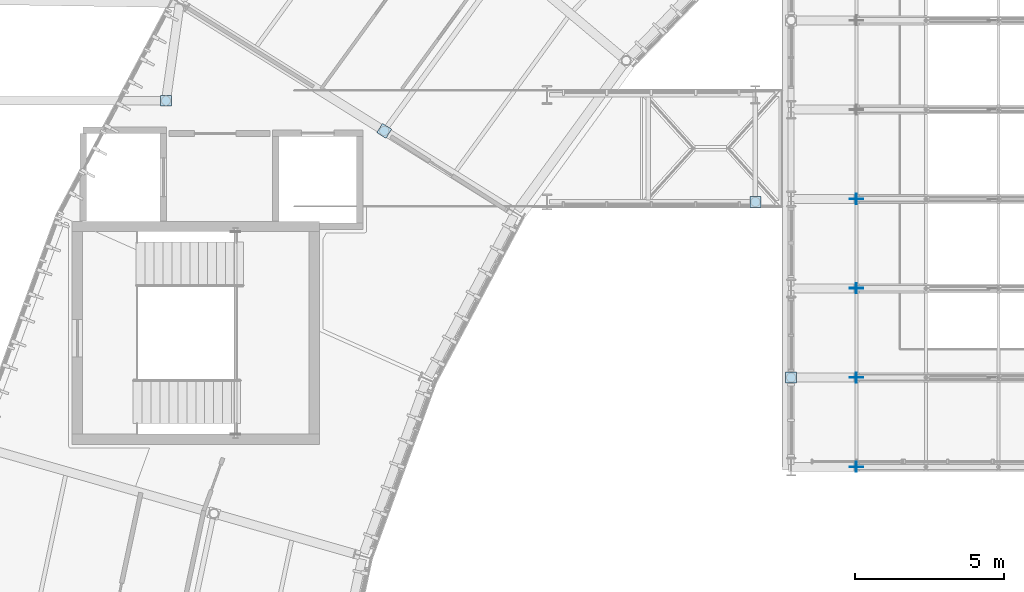
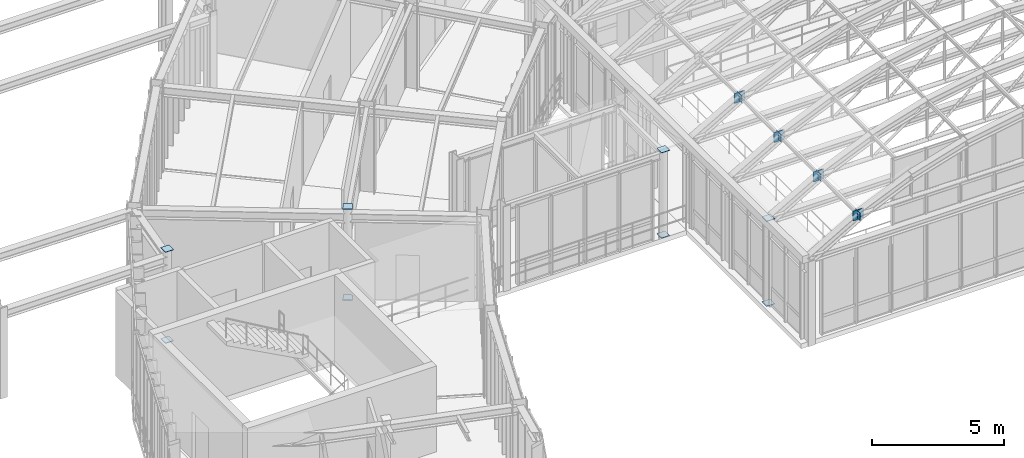
# One storey, part 110 of 148: 16 plates.
"""IFC4 building model written with IfcOpenShell, lengths in metres."""

from ifc_helpers import new_model, si_unit, direction, frame, origin, origin_2d, place, context, subcontext, project, spatial, rectangle, extrude, material, layer, layer_set, type_object, element, save


model = new_model("IFC4")

# Units and contexts
model_context = context("Model", 3, precision=1e-05, world=origin(), true_north=direction((0.0, 1.0)))
body_context = subcontext(model_context, "Body", "Model", "MODEL_VIEW")
ifc_project = project(units=[si_unit("LENGTHUNIT", "METRE"), si_unit("AREAUNIT", "SQUARE_METRE"), si_unit("VOLUMEUNIT", "CUBIC_METRE"), si_unit("PLANEANGLEUNIT", "RADIAN"), si_unit("MASSUNIT", "GRAM", prefix="KILO"), si_unit("THERMODYNAMICTEMPERATUREUNIT", "KELVIN"), si_unit("POWERUNIT", "WATT")], contexts=[model_context])

# Site, building, storey
site_placement = place(None, origin())
site = spatial("IfcSite", under=ifc_project, at=site_placement, CompositionType="ELEMENT")
building_placement = place(site_placement, origin())
building = spatial("IfcBuilding", under=site, at=building_placement, Name="Solvatero Civic Police Headquarters", CompositionType="ELEMENT")
storey_placement = place(building_placement, frame((0.0, 0.0, 5.10009765625)))
storey = spatial("IfcBuildingStorey", under=building, at=storey_placement, Name="L01", CompositionType="ELEMENT", Elevation=5.10009765625)

# Plates
ifc_material = material(Name="Steel S355", Category="steel")
ifc_layer_1 = layer(ifc_material, 0.02001953125)
ifc_layer_set_1 = layer_set([ifc_layer_1], Name="Steel S355")
plate_type_1 = type_object("IfcPlateType", Name="PLT-CAP-20", PredefinedType="SHEET", material=ifc_layer_set_1)
for number, where, z_axis, x_axis, name in (
    (1, (51.131103515625, 52.787353515625, 4.199951171875), (0.0, 0.0, 1.0), (0.529919264233, 0.848048096156, 0.0), "Hollow Section End Cap Plate 0025"),
    (2, (51.131103515625, 52.787353515625, -0.02001953125), (0.0, 0.0, 1.0), (0.529919264233, 0.848048096156, 0.0), "Hollow Section End Cap Plate 0026"),
    (3, (43.800048828125, 53.800048828125, 4.199951171875), (0.0, 0.0, 1.0), (1.0, 0.0, 0.0), "Hollow Section End Cap Plate 0045"),
    (4, (43.800048828125, 53.800048828125, -0.02001953125), (0.0, 0.0, 1.0), (1.0, 0.0, 0.0), "Hollow Section End Cap Plate 0046"),
    (5, (64.800048828125, 44.5, 3.919921875), (0.0, 0.0, 1.0), (1.0, 0.0, 0.0), "Hollow Section End Cap Plate 0067"),
    (6, (64.800048828125, 44.5, -0.02001953125), (0.0, 0.0, 1.0), (1.0, 0.0, 0.0), "Hollow Section End Cap Plate 0068"),
    (7, (63.60009765625, 50.39990234375, 3.93994140625), (0.0, 0.0, 1.0), (1.0, 0.0, 0.0), "Hollow Section End Cap Plate 0071"),
    (8, (63.60009765625, 50.39990234375, -0.02001953125), (0.0, 0.0, 1.0), (1.0, 0.0, 0.0), "Hollow Section End Cap Plate 0072"),
):
    element("IfcPlate", number, at=place(storey_placement, frame(where, z_axis=z_axis, x_axis=x_axis)), inside=storey, type_object=plate_type_1, Name=name, PredefinedType="SHEET", context=body_context, shape_type="SweptSolid", body=[
        extrude(rectangle(XDim=0.364013671875, YDim=0.364013671875, at=origin_2d()), origin(), (0.0, 0.0, 1.0), 0.02001953125),
    ])
for number, where, z_axis, x_axis, name in (
    (9, (66.988525390625, 41.5, 4.96630859375), (0.0, 0.0, 1.0), (1.0, 0.0, 0.0), "Hollow Section End Cap Plate 0167"),
    (10, (66.988525390625, 44.5, 4.96630859375), (0.0, 0.0, 1.0), (1.0, 0.0, 0.0), "Hollow Section End Cap Plate 0169"),
    (11, (66.988525390625, 47.5, 4.96630859375), (0.0, 0.0, 1.0), (1.0, 0.0, 0.0), "Hollow Section End Cap Plate 0171"),
    (12, (66.988525390625, 50.5, 4.96630859375), (0.0, 0.0, 1.0), (1.0, 0.0, 0.0), "Hollow Section End Cap Plate 0173"),
):
    element("IfcPlate", number, at=place(storey_placement, frame(where, z_axis=z_axis, x_axis=x_axis)), inside=storey, type_object=plate_type_1, Name=name, PredefinedType="SHEET", context=body_context, shape_type="SweptSolid", body=[
        extrude(rectangle(XDim=0.02001953125, YDim=0.340087890625, at=origin_2d()), origin(), (0.0, 0.0, 1.0), 0.340087890625),
    ])
ifc_layer_2 = layer(ifc_material, 0.02490234375)
ifc_layer_set_2 = layer_set([ifc_layer_2], Name="Steel S355")
plate_type_2 = type_object("IfcPlateType", Name="PLT-GUS-20", PredefinedType="SHEET", material=ifc_layer_set_2)
for number, where, z_axis, x_axis, name in (
    (13, (66.99853515625, 41.5, 4.90625), (0.0, 0.0, 1.0), (1.0, 0.0, 0.0), "VLT2 Haunch Gusset W F1"),
    (14, (66.99853515625, 44.5, 4.90625), (0.0, 0.0, 1.0), (1.0, 0.0, 0.0), "VLT2 Haunch Gusset W F2"),
    (15, (66.99853515625, 47.5, 4.90625), (0.0, 0.0, 1.0), (1.0, 0.0, 0.0), "VLT2 Haunch Gusset W F3"),
    (16, (66.99853515625, 50.5, 4.90625), (0.0, 0.0, 1.0), (1.0, 0.0, 0.0), "VLT2 Haunch Gusset W F4"),
):
    element("IfcPlate", number, at=place(storey_placement, frame(where, z_axis=z_axis, x_axis=x_axis)), inside=storey, type_object=plate_type_2, Name=name, PredefinedType="SHEET", context=body_context, shape_type="SweptSolid", body=[
        extrude(rectangle(XDim=0.4599609375, YDim=0.02490234375, at=origin_2d()), origin(), (0.0, 0.0, 1.0), 0.4599609375),
    ])

save(model, "model.ifc")
